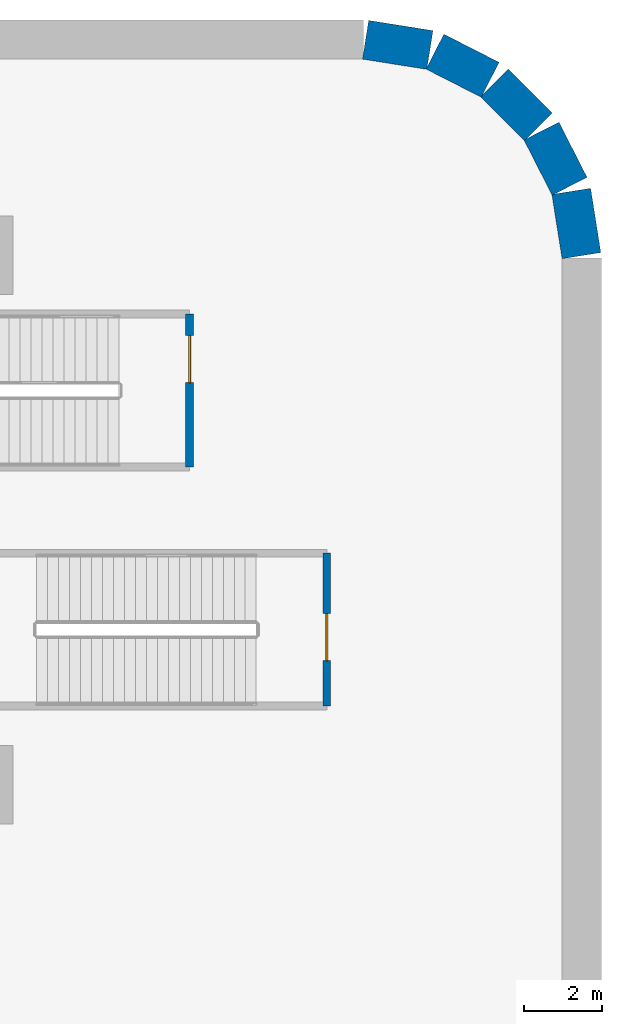
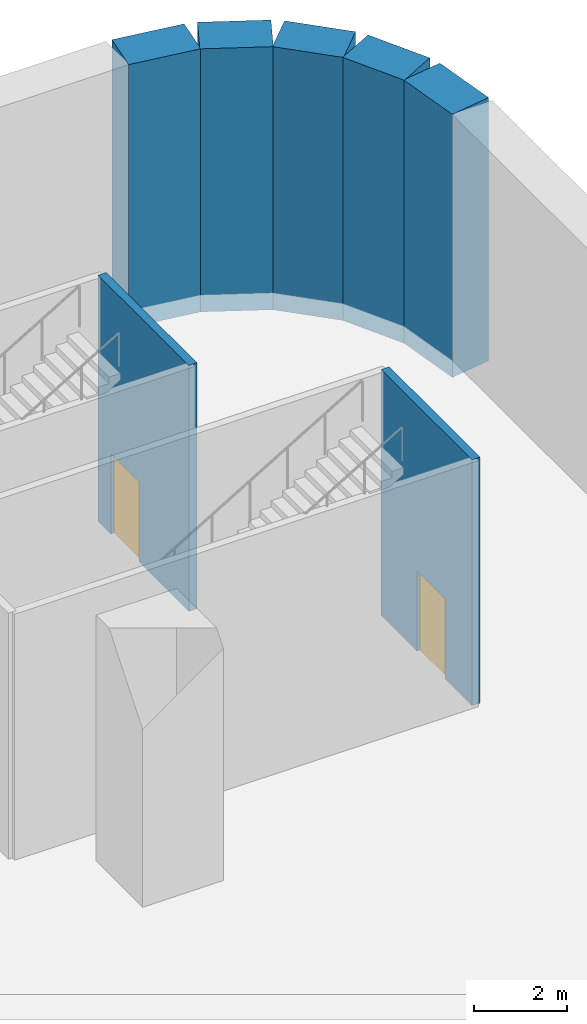
# One storey, part 15 of 37: 7 walls, 2 doors, 2 openings.
"""IFC4 building model written with IfcOpenShell, lengths in metres."""

from ifc_helpers import new_model, si_unit, direction, frame, frame_2d, origin, place, context, subcontext, project, spatial, rectangle, extrude, material, layer, layer_set, type_object, element, fill, save


model = new_model("IFC4")

# Units and contexts
model_context = context("Model", 3, precision=1e-05, world=origin(), true_north=direction((0.0, 1.0)))
body_context = subcontext(model_context, "Body", "Model", "MODEL_VIEW")
ifc_project = project(units=[si_unit("LENGTHUNIT", "METRE"), si_unit("AREAUNIT", "SQUARE_METRE"), si_unit("VOLUMEUNIT", "CUBIC_METRE"), si_unit("PLANEANGLEUNIT", "RADIAN"), si_unit("MASSUNIT", "GRAM", prefix="KILO")], contexts=[model_context])

# Site, building, storey
site_placement = place(None, origin())
site = spatial("IfcSite", under=ifc_project, at=site_placement, CompositionType="ELEMENT")
building_placement = place(site_placement, origin())
building = spatial("IfcBuilding", under=site, at=building_placement, Name="Tamarind Cross Interchange Tower", CompositionType="ELEMENT")
storey_placement = place(building_placement, frame((0.0, 0.0, -7.0)))
storey = spatial("IfcBuildingStorey", under=building, at=storey_placement, Name="B1", CompositionType="ELEMENT", Elevation=-7.0)

# Walls
ifc_material_1 = material(Name="Concrete C40", Category="concrete")
ifc_layer_1 = layer(ifc_material_1, 1.0)
ifc_layer_set_1 = layer_set([ifc_layer_1], Name="Concrete C40")
wall_type_1 = type_object("IfcWallType", Name="Basement wall 1000 Concrete C40", PredefinedType="SOLIDWALL", material=ifc_layer_set_1)
wall_1_placement = place(storey_placement, frame((63.989501953125, 59.495361328125, -0.449951171875), z_axis=(0.0, 0.0, 1.0), x_axis=(0.987688946427, -0.156430639922, 0.0)))
element("IfcWall", 1, at=wall_1_placement, inside=storey, type_object=wall_type_1, Name="Basement wall B1-14", PredefinedType="SOLIDWALL", context=body_context, shape_type="SweptSolid", body=[
    extrude(rectangle(XDim=1.66064453125, YDim=1.0, at=frame_2d((0.830322265625, 0.0))), origin(), (0.0, 0.0, 1.0), 6.89990234375),
])
for number, where, z_axis, x_axis, name in (
    (2, (65.759033203125, 59.193603515625, -0.449951171875), (0.0, 0.0, 1.0), (0.891004140764, -0.453995177443, 0.0), "Basement wall B1-15"),
    (3, (67.27783203125, 58.395751953125, -0.449951171875), (0.0, 0.0, 1.0), (0.707106781187, -0.707106781187, 0.0), "Basement wall B1-16"),
    (4, (68.475830078125, 57.167724609375, -0.449951171875), (0.0, 0.0, 1.0), (0.453995177443, -0.891004140764, 0.0), "Basement wall B1-17"),
):
    element("IfcWall", number, at=place(storey_placement, frame(where, z_axis=z_axis, x_axis=x_axis)), inside=storey, type_object=wall_type_1, Name=name, PredefinedType="SOLIDWALL", context=body_context, shape_type="SweptSolid", body=[
        extrude(rectangle(XDim=1.5810546875, YDim=1.0, at=frame_2d((0.79052734375, 0.0))), origin(), (0.0, 0.0, 1.0), 6.89990234375),
    ])
wall_2_placement = place(storey_placement, frame((69.235595703125, 55.629638671875, -0.449951171875), z_axis=(0.0, 0.0, 1.0), x_axis=(0.156430639922, -0.987688946427, 0.0)))
element("IfcWall", 5, at=wall_2_placement, inside=storey, type_object=wall_type_1, Name="Basement wall B1-18", PredefinedType="SOLIDWALL", context=body_context, shape_type="SweptSolid", body=[
    extrude(rectangle(XDim=1.66064453125, YDim=1.0, at=frame_2d((0.830322265625, 0.0))), origin(), (0.0, 0.0, 1.0), 6.89990234375),
])

# Wall, opening, door
ifc_layer_2 = layer(ifc_material_1, 0.199951171875)
ifc_layer_set_2 = layer_set([ifc_layer_2], Name="Concrete C40")
wall_type_2 = type_object("IfcWallType", Name="Stair shaft wall 200 EI 180", PredefinedType="PARTITIONING", material=ifc_layer_set_2)
wall_3_placement = place(storey_placement, frame((59.5, 48.60009765625, 0.0), z_axis=(0.0, 0.0, 1.0), x_axis=(0.0, 1.0, 0.0)))
wall_3 = element("IfcWall", 6, at=wall_3_placement, inside=storey, type_object=wall_type_2, Name="B1 stair shaft wall 56", PredefinedType="PARTITIONING", context=body_context, shape_type="SweptSolid", body=[
    extrude(rectangle(XDim=3.89990234375, YDim=0.199951171875, at=frame_2d((1.949951171875, 0.0))), origin(), (0.0, 0.0, 1.0), 6.449951171875),
])
opening_1_placement = place(wall_3_placement, frame((2.14990234375, 0.0, 0.0)))
opening_1 = element("IfcOpeningElement", 7, at=opening_1_placement, cuts=wall_3, Name="Opening DB1-03", PredefinedType="OPENING", context=body_context, shape_type="SweptSolid", body=[
    extrude(rectangle(XDim=1.199951171875, YDim=2.10009765625, at=frame_2d((0.60009765625, 1.050048828125))), frame((0.0, 0.10986328125, 0.0), z_axis=(0.0, -1.0, 0.0), x_axis=(1.0, 0.0, 0.0)), (0.0, 0.0, 1.0), 0.219970703125),
])
ifc_material_2 = material(Name="Steel, fire-resisting", Category="steel")
door_type = type_object("IfcDoorType", Name="Podium door 1200 x 2100 FD90", OperationType="SINGLE_SWING_LEFT", PredefinedType="DOOR", material=ifc_material_2)
door_1_placement = place(opening_1_placement, origin())
door_1 = element("IfcDoor", 8, at=door_1_placement, inside=storey, type_object=door_type, Name="B1 door Exit Stair PX1", OperationType="SINGLE_SWING_LEFT", OverallHeight=2.10009765625, OverallWidth=1.199951171875, PredefinedType="DOOR", context=body_context, shape_type="SweptSolid", body=[
    extrude(rectangle(XDim=1.199951171875, YDim=2.10009765625, at=frame_2d((0.60009765625, 1.050048828125))), frame((0.0, 0.02490234375, 0.0), z_axis=(0.0, -1.0, 0.0), x_axis=(1.0, 0.0, 0.0)), (0.0, 0.0, 1.0), 0.050048828125),
])
fill(opening_1, door_1)

wall_4_placement = place(storey_placement, frame((63.0, 42.5, 0.0), z_axis=(0.0, 0.0, 1.0), x_axis=(0.0, 1.0, 0.0)))
wall_4 = element("IfcWall", 9, at=wall_4_placement, inside=storey, type_object=wall_type_2, Name="B1 stair shaft wall 60", PredefinedType="PARTITIONING", context=body_context, shape_type="SweptSolid", body=[
    extrude(rectangle(XDim=3.89990234375, YDim=0.199951171875, at=frame_2d((1.949951171875, 0.0))), origin(), (0.0, 0.0, 1.0), 6.449951171875),
])
opening_2_placement = place(wall_4_placement, frame((1.159912109375, 0.0, 0.0)))
opening_2 = element("IfcOpeningElement", 10, at=opening_2_placement, cuts=wall_4, Name="Opening DB1-04", PredefinedType="OPENING", context=body_context, shape_type="SweptSolid", body=[
    extrude(rectangle(XDim=1.199951171875, YDim=2.10009765625, at=frame_2d((0.60009765625, 1.050048828125))), frame((0.0, 0.10986328125, 0.0), z_axis=(0.0, -1.0, 0.0), x_axis=(1.0, 0.0, 0.0)), (0.0, 0.0, 1.0), 0.219970703125),
])
door_2_placement = place(opening_2_placement, origin())
door_2 = element("IfcDoor", 11, at=door_2_placement, inside=storey, type_object=door_type, Name="B1 door Exit Stair PX2", OperationType="SINGLE_SWING_RIGHT", OverallHeight=2.10009765625, OverallWidth=1.199951171875, PredefinedType="DOOR", context=body_context, shape_type="SweptSolid", body=[
    extrude(rectangle(XDim=1.199951171875, YDim=2.10009765625, at=frame_2d((0.60009765625, 1.050048828125))), frame((0.0, 0.02490234375, 0.0), z_axis=(0.0, -1.0, 0.0), x_axis=(1.0, 0.0, 0.0)), (0.0, 0.0, 1.0), 0.050048828125),
])
fill(opening_2, door_2)

save(model, "model.ifc")
